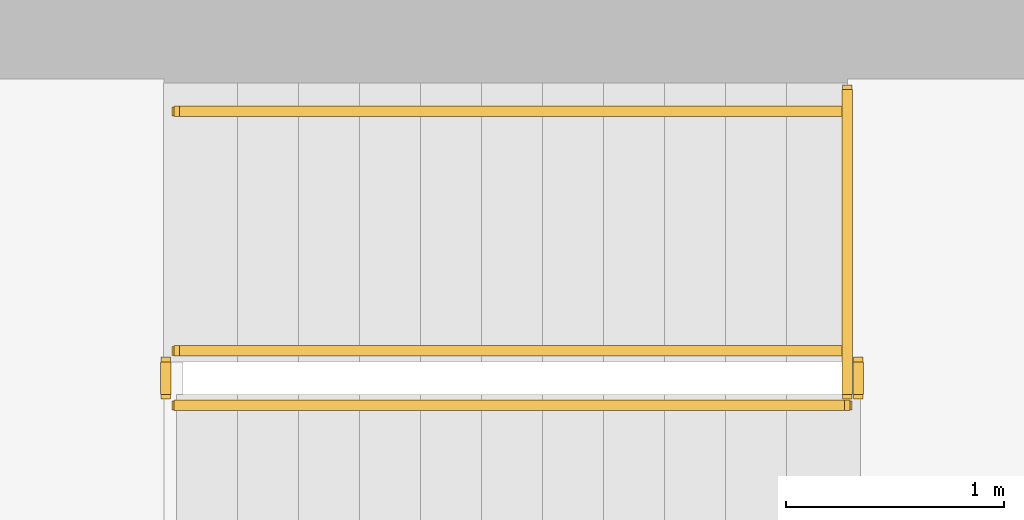
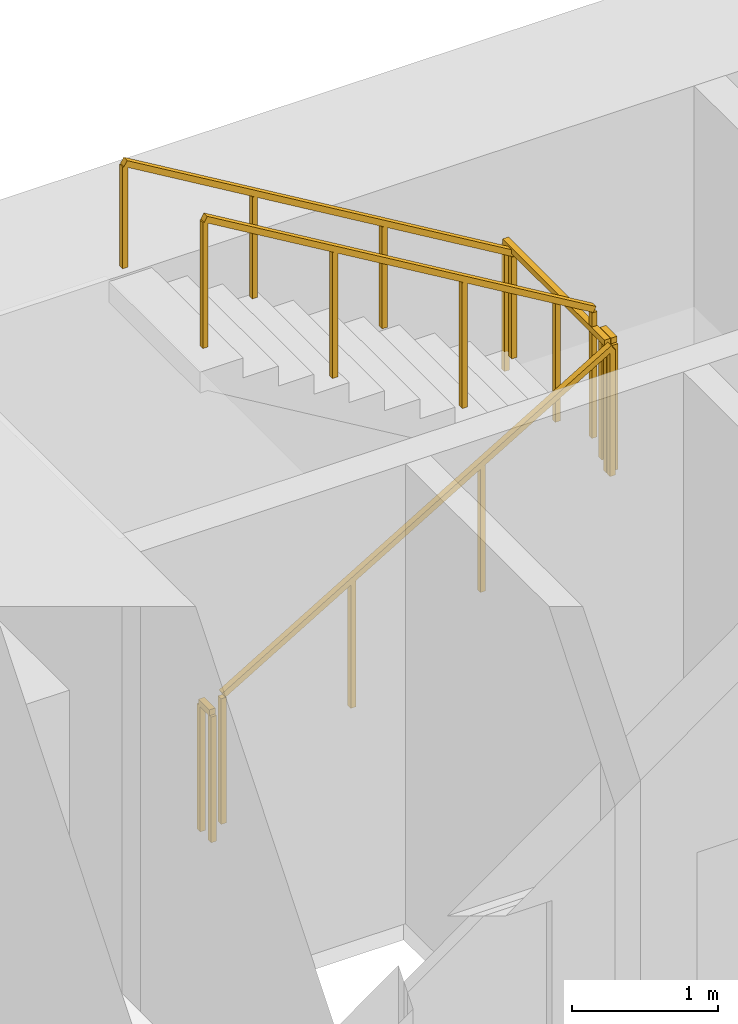
# One storey, part 14 of 15: 6 railings.
"""IFC4 building model written with IfcOpenShell, lengths in metres."""

from ifc_helpers import new_model, si_unit, direction, frame, origin, origin_2d, place, context, subcontext, project, spatial, rectangle, extrude, material, type_object, element, save


model = new_model("IFC4")

# Units and contexts
model_context = context("Model", 3, precision=1e-05, world=origin(), true_north=direction((0.0, 1.0)))
body_context = subcontext(model_context, "Body", "Model", "MODEL_VIEW")
ifc_project = project(units=[si_unit("LENGTHUNIT", "METRE"), si_unit("AREAUNIT", "SQUARE_METRE"), si_unit("VOLUMEUNIT", "CUBIC_METRE"), si_unit("PLANEANGLEUNIT", "RADIAN"), si_unit("MASSUNIT", "GRAM", prefix="KILO")], contexts=[model_context])

# Site, building, storey
site_placement = place(None, origin())
site = spatial("IfcSite", under=ifc_project, at=site_placement, CompositionType="ELEMENT")
building_placement = place(site_placement, origin())
building = spatial("IfcBuilding", under=site, at=building_placement, Name="Sennacour Bend Tower", CompositionType="ELEMENT")
storey_placement = place(building_placement, frame((0.0, 0.0, 61.0)))
storey = spatial("IfcBuildingStorey", under=building, at=storey_placement, Name="L13", CompositionType="ELEMENT", Elevation=61.0)

# Railings
ifc_material = material(Name="Stainless steel", Category="steel")
railing_type_1 = type_object("IfcRailingType", Name="RL-GUARD-1100", PredefinedType="GUARDRAIL", material=ifc_material)
railing_1_placement = place(storey_placement, frame((56.699951171875, 19.85009765625, 0.166748046875)))
element("IfcRailing", 1, at=railing_1_placement, inside=storey, type_object=railing_type_1, Name="L13 SA2 stair guard 1", PredefinedType="GUARDRAIL", context=body_context, shape_type="SweptSolid", body=[
    extrude(rectangle(XDim=0.048095703125, YDim=0.048095703125, at=origin_2d()), frame((0.0, 0.0, 1.076171875), z_axis=(0.859308565015, 0.0, 0.511457515432), x_axis=(0.0, 1.0, 0.0)), (0.0, 0.0, 1.0), 3.58447265625),
    extrude(rectangle(XDim=0.0419921875, YDim=0.0419921875, at=origin_2d()), origin(), (0.0, 0.0, 1.0), 1.052001953125),
    extrude(rectangle(XDim=0.0419921875, YDim=0.0419921875, at=origin_2d()), frame((1.026611328125, 0.0, 0.611083984375)), (0.0, 0.0, 1.0), 1.052001953125),
    extrude(rectangle(XDim=0.0419921875, YDim=0.0419921875, at=origin_2d()), frame((2.053466796875, 0.0, 1.22216796875)), (0.0, 0.0, 1.0), 1.052001953125),
    extrude(rectangle(XDim=0.0419921875, YDim=0.0419921875, at=origin_2d()), frame((3.080078125, 0.0, 1.833251953125)), (0.0, 0.0, 1.0), 1.052001953125),
])
railing_2_placement = place(storey_placement, frame((59.830078125, 19.89990234375, 2.0)))
element("IfcRailing", 2, at=railing_2_placement, inside=storey, type_object=railing_type_1, Name="L13 SA2 stair guard 2", PredefinedType="GUARDRAIL", context=body_context, shape_type="SweptSolid", body=[
    extrude(rectangle(XDim=0.048095703125, YDim=0.048095703125, at=origin_2d()), frame((0.0, 0.0, 1.076171875), z_axis=(0.0, 1.0, 0.0), x_axis=(-1.0, 0.0, 0.0)), (0.0, 0.0, 1.0), 0.150146484375),
    extrude(rectangle(XDim=0.0419921875, YDim=0.0419921875, at=origin_2d()), origin(), (0.0, 0.0, 1.0), 1.052001953125),
    extrude(rectangle(XDim=0.0419921875, YDim=0.0419921875, at=origin_2d()), frame((0.0, 0.150146484375, 0.0)), (0.0, 0.0, 1.0), 1.052001953125),
])
railing_3_placement = place(storey_placement, frame((59.780029296875, 20.10009765625, 2.166748046875)))
element("IfcRailing", 3, at=railing_3_placement, inside=storey, type_object=railing_type_1, Name="L13 SA2 stair guard 4", PredefinedType="GUARDRAIL", context=body_context, shape_type="SweptSolid", body=[
    extrude(rectangle(XDim=0.048095703125, YDim=0.048095703125, at=origin_2d()), frame((0.0, 0.0, 1.076171875), z_axis=(-0.859308565015, 0.0, 0.511457515432), x_axis=(0.0, -1.0, 0.0)), (0.0, 0.0, 1.0), 3.58447265625),
    extrude(rectangle(XDim=0.0419921875, YDim=0.0419921875, at=origin_2d()), origin(), (0.0, 0.0, 1.0), 1.052001953125),
    extrude(rectangle(XDim=0.0419921875, YDim=0.0419921875, at=origin_2d()), frame((-1.026611328125, 0.0, 0.611083984375)), (0.0, 0.0, 1.0), 1.052001953125),
    extrude(rectangle(XDim=0.0419921875, YDim=0.0419921875, at=origin_2d()), frame((-2.053466796875, 0.0, 1.22216796875)), (0.0, 0.0, 1.0), 1.052001953125),
    extrude(rectangle(XDim=0.0419921875, YDim=0.0419921875, at=origin_2d()), frame((-3.080078125, 0.0, 1.833251953125)), (0.0, 0.0, 1.0), 1.052001953125),
])
railing_4_placement = place(storey_placement, frame((56.64990234375, 19.89990234375, 0.0)))
element("IfcRailing", 4, at=railing_4_placement, inside=storey, type_object=railing_type_1, Name="L13 SA2 stair guard 5", PredefinedType="GUARDRAIL", context=body_context, shape_type="SweptSolid", body=[
    extrude(rectangle(XDim=0.048095703125, YDim=0.048095703125, at=origin_2d()), frame((0.0, 0.0, 1.076171875), z_axis=(0.0, 1.0, 0.0), x_axis=(-1.0, 0.0, 0.0)), (0.0, 0.0, 1.0), 0.150146484375),
    extrude(rectangle(XDim=0.0419921875, YDim=0.0419921875, at=origin_2d()), origin(), (0.0, 0.0, 1.0), 1.052001953125),
    extrude(rectangle(XDim=0.0419921875, YDim=0.0419921875, at=origin_2d()), frame((0.0, 0.150146484375, 0.0)), (0.0, 0.0, 1.0), 1.052001953125),
])
railing_5_placement = place(storey_placement, frame((59.780029296875, 19.89990234375, 2.0)))
element("IfcRailing", 5, at=railing_5_placement, inside=storey, type_object=railing_type_1, Name="L13 SA2 landing edge guard 24", PredefinedType="GUARDRAIL", context=body_context, shape_type="SweptSolid", body=[
    extrude(rectangle(XDim=0.048095703125, YDim=0.048095703125, at=origin_2d()), frame((0.0, 0.0, 1.076171875), z_axis=(0.0, 1.0, 0.0), x_axis=(-1.0, 0.0, 0.0)), (0.0, 0.0, 1.0), 1.400146484375),
    extrude(rectangle(XDim=0.0419921875, YDim=0.0419921875, at=origin_2d()), origin(), (0.0, 0.0, 1.0), 1.052001953125),
    extrude(rectangle(XDim=0.0419921875, YDim=0.0419921875, at=origin_2d()), frame((0.0, 0.7001953125, 0.0)), (0.0, 0.0, 1.0), 1.052001953125),
    extrude(rectangle(XDim=0.0419921875, YDim=0.0419921875, at=origin_2d()), frame((0.0, 1.400146484375, 0.0)), (0.0, 0.0, 1.0), 1.052001953125),
])
railing_type_2 = type_object("IfcRailingType", Name="RL-HANDRAIL-900", PredefinedType="HANDRAIL", material=ifc_material)
railing_6_placement = place(storey_placement, frame((59.780029296875, 21.199951171875, 2.166748046875)))
element("IfcRailing", 6, at=railing_6_placement, inside=storey, type_object=railing_type_2, Name="L13 SA2 stair handrail 2", PredefinedType="HANDRAIL", context=body_context, shape_type="SweptSolid", body=[
    extrude(rectangle(XDim=0.048095703125, YDim=0.048095703125, at=origin_2d()), frame((0.0, 0.0, 0.8759765625), z_axis=(-0.859308565015, 0.0, 0.511457515432), x_axis=(0.0, -1.0, 0.0)), (0.0, 0.0, 1.0), 3.58447265625),
    extrude(rectangle(XDim=0.0419921875, YDim=0.0419921875, at=origin_2d()), origin(), (0.0, 0.0, 1.0), 0.851806640625),
    extrude(rectangle(XDim=0.0419921875, YDim=0.0419921875, at=origin_2d()), frame((-1.026611328125, 0.0, 0.611083984375)), (0.0, 0.0, 1.0), 0.851806640625),
    extrude(rectangle(XDim=0.0419921875, YDim=0.0419921875, at=origin_2d()), frame((-2.053466796875, 0.0, 1.22216796875)), (0.0, 0.0, 1.0), 0.851806640625),
    extrude(rectangle(XDim=0.0419921875, YDim=0.0419921875, at=origin_2d()), frame((-3.080078125, 0.0, 1.833251953125)), (0.0, 0.0, 1.0), 0.851806640625),
])

save(model, "model.ifc")
